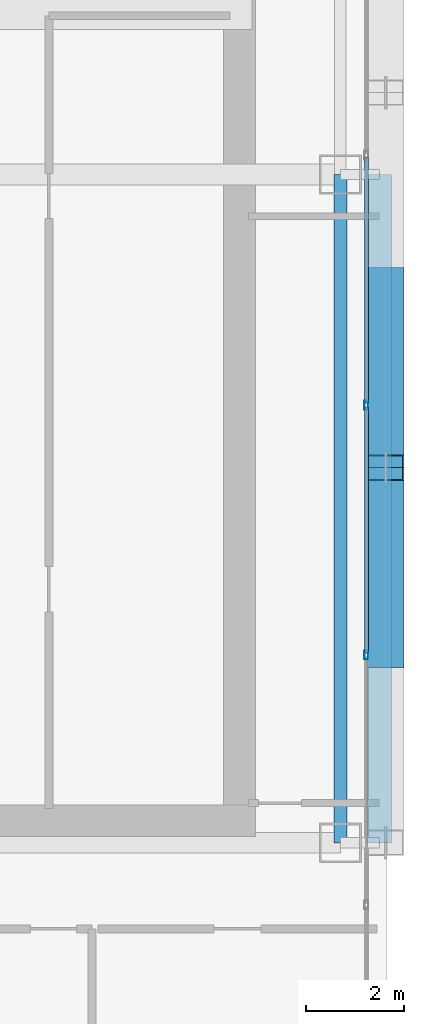
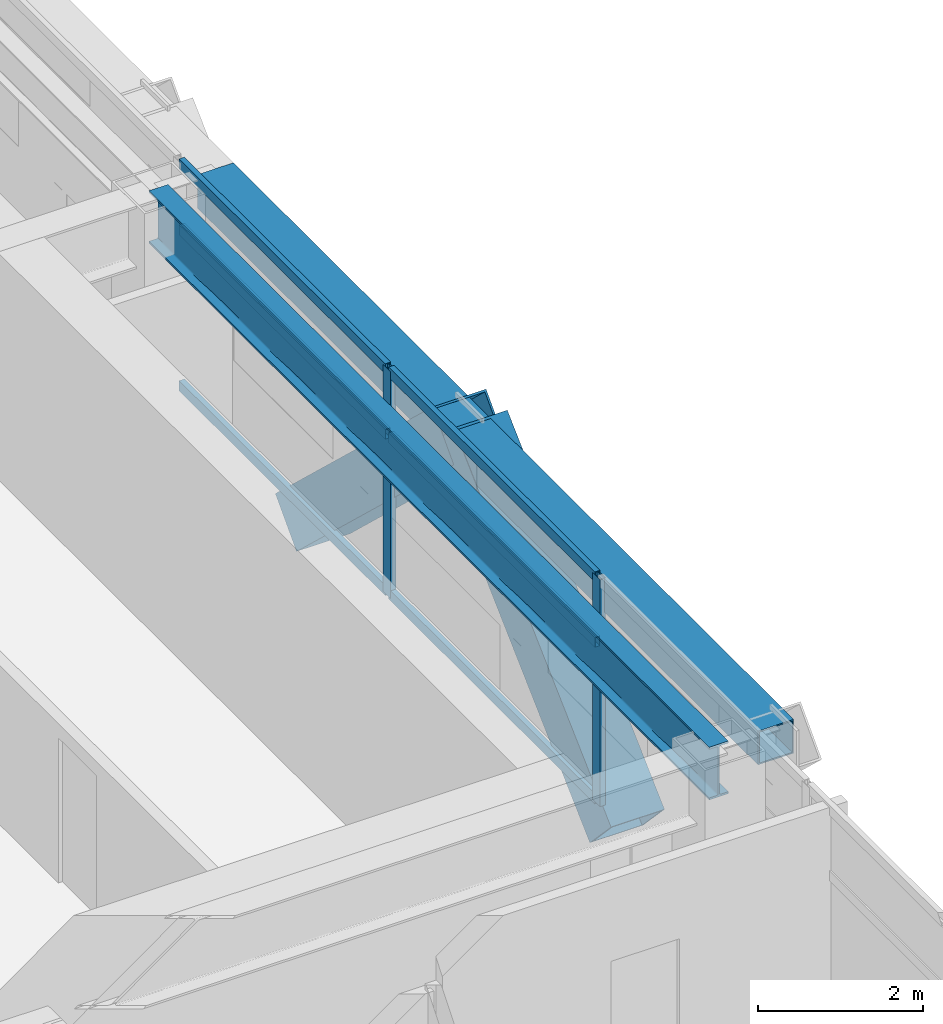
# One storey, part 13 of 36: 10 members, 2 beams, 1 element without a shape of its own.
"""IFC4 building model written with IfcOpenShell, lengths in metres."""

from ifc_helpers import new_model, si_unit, direction, frame, origin, origin_2d, place, context, subcontext, project, spatial, hollow_rectangle, i_section, extrude, source, transform, mapped, material, layer, layer_set, material_profile, profile_set, type_object, element, aggregate, save


model = new_model("IFC4")

# Units and contexts
model_context = context("Model", 3, precision=1e-05, world=origin(), true_north=direction((0.0, 1.0)))
body_context = subcontext(model_context, "Body", "Model", "MODEL_VIEW")
ifc_project = project(units=[si_unit("LENGTHUNIT", "METRE"), si_unit("AREAUNIT", "SQUARE_METRE"), si_unit("VOLUMEUNIT", "CUBIC_METRE"), si_unit("PLANEANGLEUNIT", "RADIAN"), si_unit("MASSUNIT", "GRAM", prefix="KILO")], contexts=[model_context])

# Site, building, storey
site_placement = place(None, origin())
site = spatial("IfcSite", under=ifc_project, at=site_placement, CompositionType="ELEMENT")
building_placement = place(site_placement, origin())
building = spatial("IfcBuilding", under=site, at=building_placement, Name="Ocotamira Hotel", CompositionType="ELEMENT")
storey_placement = place(building_placement, frame((0.0, 0.0, 129.60009765625)))
storey = spatial("IfcBuildingStorey", under=building, at=storey_placement, Name="L32", CompositionType="ELEMENT", Elevation=129.60009765625)

# Beams
ifc_material_1 = material(Name="Steel ASTM A992 Grade 50", Category="steel")
ifc_material_profile_1 = material_profile(ifc_material_1, i_section(OverallWidth=0.26611328125, OverallDepth=0.779052734375, WebThickness=0.0166015625, FlangeThickness=0.030029296875, FilletRadius=0.01806640625, at=origin_2d()), Name="W30X148")
ifc_profile_set_1 = profile_set([ifc_material_profile_1], Name="Steel ASTM A992 Grade 50")
beam_type_1 = type_object("IfcBeamType", Name="BM-GIRD-W30X148", PredefinedType="BEAM", material=ifc_profile_set_1)
shared_shape_1 = source(origin(), body_context, "Body", "SweptSolid", [
    extrude(i_section(OverallWidth=0.26611328125, OverallDepth=0.779052734375, WebThickness=0.0166015625, FlangeThickness=0.030029296875, FilletRadius=0.01806640625, at=origin_2d()), origin(), (0.0, 0.0, 1.0), 13.599853515625),
])
beam_1_placement = place(storey_placement, frame((55.050048828125, 14.550048828125, 2.970458984375), z_axis=(0.0, 1.0, 0.0), x_axis=(-1.0, 0.0, 0.0)))
element("IfcBeam", 1, at=beam_1_placement, inside=storey, type_object=beam_type_1, Name="L32 Beam X55.05 Y14.55-28.15", PredefinedType="BEAM", context=body_context, shape_type="MappedRepresentation", body=[
    mapped(shared_shape_1, transform((0.0, 0.0, 0.0), scale=1.0)),
])
ifc_material_2 = material(Name="Steel ASTM A500 Grade C", Category="steel")
ifc_material_profile_2 = material_profile(ifc_material_2, hollow_rectangle(XDim=0.5, YDim=0.5, WallThickness=0.02001953125, at=origin_2d()), Name="HSS500X500X20")
ifc_profile_set_2 = profile_set([ifc_material_profile_2], Name="Steel ASTM A500 Grade C")
beam_type_2 = type_object("IfcBeamType", Name="BM-SPAN-HSS500", PredefinedType="USERDEFINED", material=ifc_profile_set_2)
shared_shape_2 = source(origin(), body_context, "Body", "SweptSolid", [
    extrude(hollow_rectangle(XDim=0.5, YDim=0.5, WallThickness=0.02001953125, at=origin_2d()), origin(), (0.0, 0.0, 1.0), 13.599853515625),
])
beam_2_placement = place(storey_placement, frame((55.85009765625, 14.550048828125, 3.10986328125), z_axis=(0.0, 1.0, 0.0), x_axis=(-1.0, 0.0, 0.0)))
element("IfcBeam", 2, at=beam_2_placement, inside=storey, type_object=beam_type_2, Name="L32 Edge Spandrel E Y14.55-28.15", ObjectType="SPANDREL", PredefinedType="USERDEFINED", context=body_context, shape_type="MappedRepresentation", body=[
    mapped(shared_shape_2, transform((0.0, 0.0, 0.0), scale=1.0)),
])

# Members
ifc_material_3 = material(Name="Pale-metal coated steel ASTM A913 Grade 65", Category="steel")
ifc_material_profile_3 = material_profile(ifc_material_3, hollow_rectangle(XDim=0.75, YDim=0.75, WallThickness=0.028076171875, at=origin_2d()), Name="BOX750X750X28")
ifc_profile_set_3 = profile_set([ifc_material_profile_3], Name="Pale-metal coated steel ASTM A913 Grade 65")
member_type_1 = type_object("IfcMemberType", Name="MEM-EXO-BOX750", PredefinedType="BRACE", material=ifc_profile_set_3)
shared_shape_3 = source(origin(), body_context, "Body", "SweptSolid", [
    extrude(hollow_rectangle(XDim=0.75, YDim=0.75, WallThickness=0.028076171875, at=origin_2d()), origin(), (0.0, 0.0, 1.0), 5.24658203125),
])
for number, where, z_axis, x_axis, name in (
    (3, (55.969970703125, 18.36669921875, -0.489990234375), (0.0, 0.72746596067, 0.686143772154), (-1.0, 0.0, 0.0), "L32 Exoskeleton Diagrid E0.2"),
    (4, (55.969970703125, 26.0, -0.489990234375), (0.0, -0.72746596067, 0.686143772154), (1.0, 0.0, 0.0), "L32 Exoskeleton Diagrid E1.1"),
):
    element("IfcMember", number, at=place(storey_placement, frame(where, z_axis=z_axis, x_axis=x_axis)), inside=storey, type_object=member_type_1, Name=name, PredefinedType="BRACE", context=body_context, shape_type="MappedRepresentation", body=[
        mapped(shared_shape_3, transform((0.0, 0.0, 0.0), scale=1.0)),
    ])

# Curtain wall, members
ifc_material_4 = material(Name="Anodised pale-metal aluminium and solar glass", Category="aluminium")
ifc_layer = layer(ifc_material_4, 0.179931640625)
ifc_layer_set = layer_set([ifc_layer], Name="Anodised pale-metal aluminium and solar glass")
curtain_wall_type = type_object("IfcCurtainWallType", Name="CW-SYS3-Z2", PredefinedType="NOTDEFINED", material=ifc_layer_set)
curtain_wall_placement = place(storey_placement, origin())
curtain_wall = element("IfcCurtainWall", 5, at=curtain_wall_placement, inside=storey, type_object=curtain_wall_type, Name="L32 Curtain Wall CW-3 CW-L32-E", PredefinedType="NOTDEFINED")
ifc_material_5 = material(Name="Anodised pale-metal aluminium 6063-T6", Category="aluminium")
ifc_material_profile_4 = material_profile(ifc_material_5, hollow_rectangle(XDim=0.074951171875, YDim=0.14990234375, WallThickness=0.006103515625, at=origin_2d()), Name="HSS150X75X6")
ifc_profile_set_4 = profile_set([ifc_material_profile_4], Name="Anodised pale-metal aluminium 6063-T6")
member_type_2 = type_object("IfcMemberType", Name="CWT-150X75", PredefinedType="USERDEFINED", material=ifc_profile_set_4)
shared_shape_4 = source(origin(), body_context, "Body", "SweptSolid", [
    extrude(hollow_rectangle(XDim=0.074951171875, YDim=0.14990234375, WallThickness=0.006103515625, at=origin_2d()), origin(), (0.0, 0.0, 1.0), 5.005859375),
])
member_1_placement = place(storey_placement, frame((55.580078125, 18.411376953125, 0.037353515625), z_axis=(0.0, 1.0, 0.0), x_axis=(-1.0, 0.0, 0.0)))
member_1 = element("IfcMember", 6, at=member_1_placement, type_object=member_type_2, Name="CW-3 transom 3.1", ObjectType="TRANSOM", PredefinedType="USERDEFINED", context=body_context, shape_type="MappedRepresentation", body=[
    mapped(shared_shape_4, transform((0.0, 0.0, 0.0), scale=1.0)),
])
member_2_placement = place(storey_placement, frame((55.580078125, 18.411376953125, 2.349853515625), z_axis=(0.0, 1.0, 0.0), x_axis=(-1.0, 0.0, 0.0)))
member_2 = element("IfcMember", 7, at=member_2_placement, type_object=member_type_2, Name="CW-3 transom 3.2", ObjectType="TRANSOM", PredefinedType="USERDEFINED", context=body_context, shape_type="MappedRepresentation", body=[
    mapped(shared_shape_4, transform((0.0, 0.0, 0.0), scale=1.0)),
])
member_3_placement = place(storey_placement, frame((55.580078125, 18.411376953125, 3.322509765625), z_axis=(0.0, 1.0, 0.0), x_axis=(-1.0, 0.0, 0.0)))
member_3 = element("IfcMember", 8, at=member_3_placement, type_object=member_type_2, Name="CW-3 transom 3.3", ObjectType="TRANSOM", PredefinedType="USERDEFINED", context=body_context, shape_type="MappedRepresentation", body=[
    mapped(shared_shape_4, transform((0.0, 0.0, 0.0), scale=1.0)),
])
member_4_placement = place(storey_placement, frame((55.580078125, 23.4970703125, 0.037353515625), z_axis=(0.0, 1.0, 0.0), x_axis=(-1.0, 0.0, 0.0)))
member_4 = element("IfcMember", 9, at=member_4_placement, type_object=member_type_2, Name="CW-3 transom 4.1", ObjectType="TRANSOM", PredefinedType="USERDEFINED", context=body_context, shape_type="MappedRepresentation", body=[
    mapped(shared_shape_4, transform((0.0, 0.0, 0.0), scale=1.0)),
])
member_5_placement = place(storey_placement, frame((55.580078125, 23.4970703125, 2.349853515625), z_axis=(0.0, 1.0, 0.0), x_axis=(-1.0, 0.0, 0.0)))
member_5 = element("IfcMember", 10, at=member_5_placement, type_object=member_type_2, Name="CW-3 transom 4.2", ObjectType="TRANSOM", PredefinedType="USERDEFINED", context=body_context, shape_type="MappedRepresentation", body=[
    mapped(shared_shape_4, transform((0.0, 0.0, 0.0), scale=1.0)),
])
member_6_placement = place(storey_placement, frame((55.580078125, 23.4970703125, 3.322509765625), z_axis=(0.0, 1.0, 0.0), x_axis=(-1.0, 0.0, 0.0)))
member_6 = element("IfcMember", 11, at=member_6_placement, type_object=member_type_2, Name="CW-3 transom 4.3", ObjectType="TRANSOM", PredefinedType="USERDEFINED", context=body_context, shape_type="MappedRepresentation", body=[
    mapped(shared_shape_4, transform((0.0, 0.0, 0.0), scale=1.0)),
])
ifc_material_profile_5 = material_profile(ifc_material_5, hollow_rectangle(XDim=0.080078125, YDim=0.179931640625, WallThickness=0.006103515625, at=origin_2d()), Name="HSS180X80X6")
ifc_profile_set_5 = profile_set([ifc_material_profile_5], Name="Anodised pale-metal aluminium 6063-T6")
member_type_3 = type_object("IfcMemberType", Name="CWM-180X75", PredefinedType="MULLION", material=ifc_profile_set_5)
shared_shape_5 = source(origin(), body_context, "Body", "SweptSolid", [
    extrude(hollow_rectangle(XDim=0.080078125, YDim=0.179931640625, WallThickness=0.006103515625, at=origin_2d()), origin(), (0.0, 0.0, 1.0), 3.35986328125),
])
member_7_placement = place(storey_placement, frame((55.580078125, 18.371337890625, 0.0), z_axis=(0.0, 0.0, 1.0), x_axis=(-1.0, 0.0, 0.0)))
member_7 = element("IfcMember", 12, at=member_7_placement, type_object=member_type_3, Name="CW-3 mullion 3", PredefinedType="MULLION", context=body_context, shape_type="MappedRepresentation", body=[
    mapped(shared_shape_5, transform((0.0, 0.0, 0.0), scale=1.0)),
])
member_8_placement = place(storey_placement, frame((55.580078125, 23.45703125, 0.0), z_axis=(0.0, 0.0, 1.0), x_axis=(-1.0, 0.0, 0.0)))
member_8 = element("IfcMember", 13, at=member_8_placement, type_object=member_type_3, Name="CW-3 mullion 4", PredefinedType="MULLION", context=body_context, shape_type="MappedRepresentation", body=[
    mapped(shared_shape_5, transform((0.0, 0.0, 0.0), scale=1.0)),
])
aggregate(curtain_wall, [member_7, member_8, member_1, member_2, member_3, member_4, member_5, member_6])

save(model, "model.ifc")
